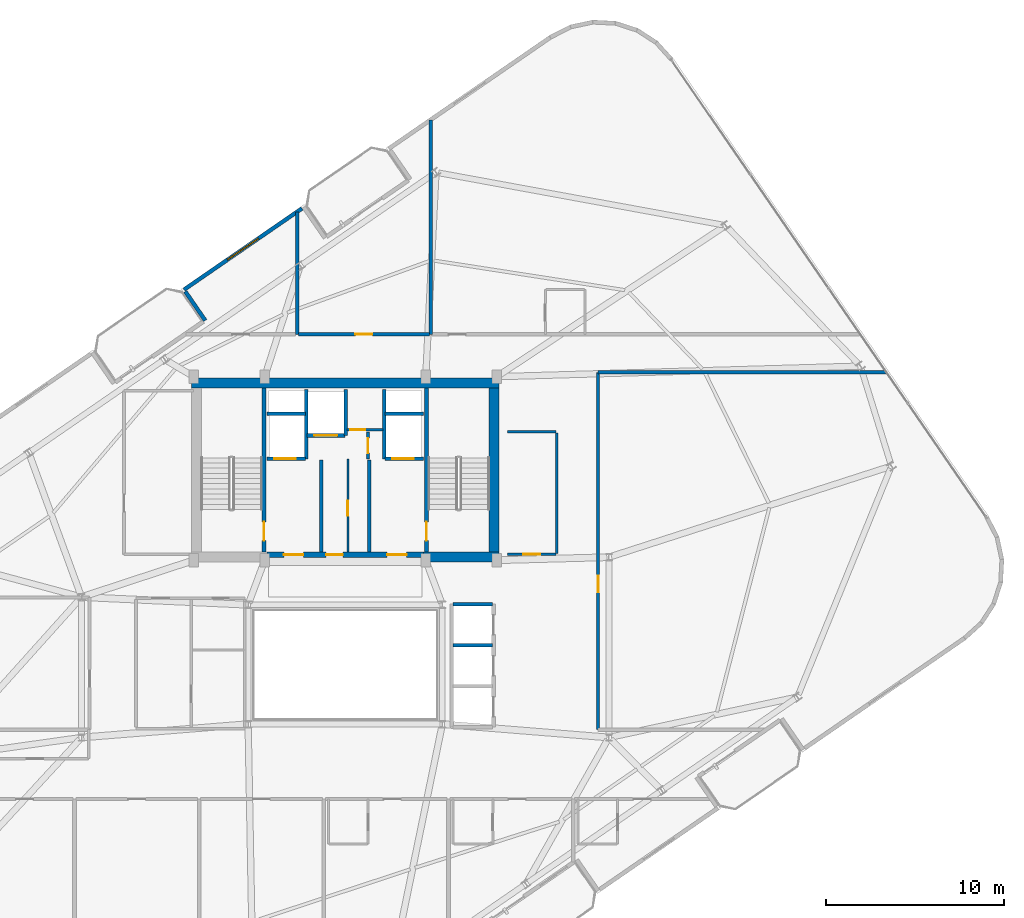
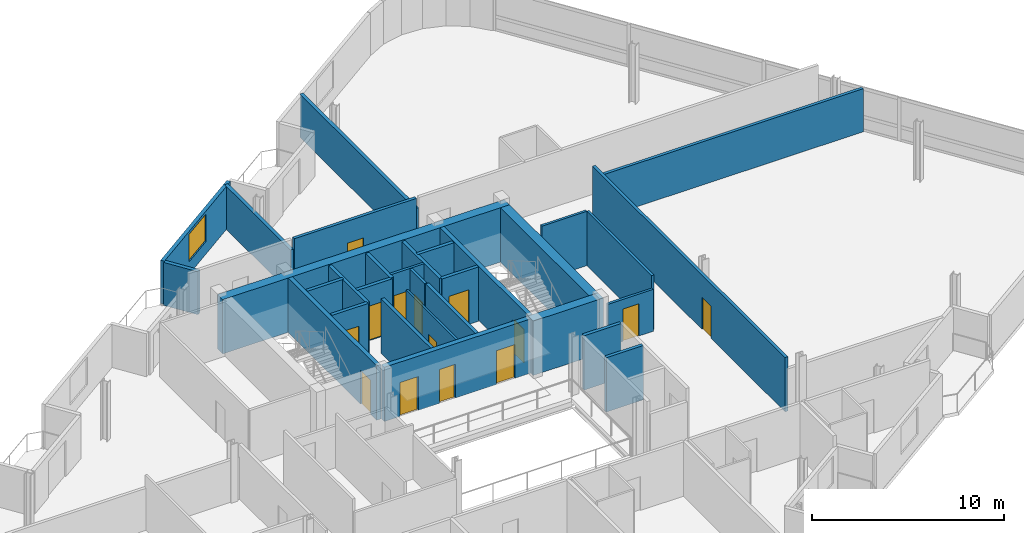
# One storey, part 16 of 21: 31 walls, 14 doors, 1 window, 15 openings.
"""IFC4 building model written with IfcOpenShell, lengths in metres."""

import ifcopenshell
import ifcopenshell.guid

model = None  # the IFC model being written
_history = None  # IfcOwnerHistory: only IFC2X3 demands one
_inside = {}  # id of a spatial element -> (the spatial element, [elements in it])
_under = {}  # id of a project, library or spatial element -> (it, [spatial elements below it])
_declared = {}  # id of a project -> (the project, [libraries it declares])
_typed = {}  # id of a type object -> (the type object, [elements of that type])
_made_of = {}  # id of a material, layer set ... -> (it, [elements and type objects made of it])


def new_model(schema):
    """Start an empty IFC model of exactly this schema.

    Asked for "IFC4X3", IfcOpenShell would pick the latest addendum, in which some entities
    have other attributes; the version numbers below select the first issue.
    IFC2X3 requires an IfcOwnerHistory on every rooted entity: one is made here for all.
    """
    global model, _history
    if schema == "IFC4X3":
        model = ifcopenshell.file(schema_version=(4, 3, 0, 0))
    else:
        model = ifcopenshell.file(schema=schema)
    _inside.clear()
    _under.clear()
    _declared.clear()
    _typed.clear()
    _made_of.clear()
    _history = None
    if model.schema == "IFC2X3":
        org = make("IfcOrganization", Name="unknown")
        user = make(
            "IfcPersonAndOrganization",
            ThePerson=make("IfcPerson", FamilyName="unknown"),
            TheOrganization=org,
        )
        app = make(
            "IfcApplication",
            ApplicationDeveloper=org,
            Version="unknown",
            ApplicationFullName="unknown",
            ApplicationIdentifier="unknown",
        )
        _history = make(
            "IfcOwnerHistory",
            OwningUser=user,
            OwningApplication=app,
            ChangeAction="ADDED",
            CreationDate=0,
        )
    return model


def make(cls, **values):
    """One entity of the class cls with the attributes given. An attribute that is None is left unset."""
    return model.create_entity(
        cls, **{name: value for name, value in values.items() if value is not None}
    )


def rooted(cls, **values):
    """An entity with a GlobalId (a new one), such as an element, a storey or a relation."""
    return make(cls, GlobalId=ifcopenshell.guid.new(), OwnerHistory=_history, **values)


def si_unit(unit_type, name, prefix=None):
    """IfcSIUnit, for example si_unit("LENGTHUNIT", "METRE", prefix="MILLI")."""
    return make("IfcSIUnit", UnitType=unit_type, Prefix=prefix, Name=name)


def assignment(units):
    """IfcUnitAssignment: the units of a project."""
    return None if units is None else make("IfcUnitAssignment", Units=units)


def point(xyz):
    """IfcCartesianPoint."""
    return None if xyz is None else make("IfcCartesianPoint", Coordinates=xyz)


def direction(xyz):
    """IfcDirection."""
    return None if xyz is None else make("IfcDirection", DirectionRatios=xyz)


def frame(location, z_axis=None, x_axis=None):
    """IfcAxis2Placement3D, a coordinate frame: its origin and axes. An axis left out is left unset."""
    return make(
        "IfcAxis2Placement3D",
        Location=point(location),
        Axis=direction(z_axis),
        RefDirection=direction(x_axis),
    )


def frame_2d(location, x_axis=None):
    """IfcAxis2Placement2D, a coordinate frame in the plane: its origin and x axis."""
    return make(
        "IfcAxis2Placement2D", Location=point(location), RefDirection=direction(x_axis)
    )


def origin():
    """The frame at (0, 0, 0) with its axes left unset."""
    return frame((0.0, 0.0, 0.0))


def place(relative_to, where):
    """IfcLocalPlacement: puts the frame where relative to a parent placement (None: the world)."""
    return make(
        "IfcLocalPlacement", PlacementRelTo=relative_to, RelativePlacement=where
    )


def context(
    kind, dimensions, precision=None, world=None, true_north=None, identifier=None
):
    """IfcGeometricRepresentationContext, for example the 3D "Model" context."""
    return make(
        "IfcGeometricRepresentationContext",
        ContextIdentifier=identifier,
        ContextType=kind,
        CoordinateSpaceDimension=dimensions,
        Precision=precision,
        WorldCoordinateSystem=world,
        TrueNorth=true_north,
    )


def subcontext(parent, identifier, kind, view, scale=None):
    """IfcGeometricRepresentationSubContext, for example "Body" below "Model"."""
    return make(
        "IfcGeometricRepresentationSubContext",
        ContextIdentifier=identifier,
        ContextType=kind,
        ParentContext=parent,
        TargetScale=scale,
        TargetView=view,
    )


def project(units=None, contexts=None):
    """IfcProject with its units and contexts."""
    return rooted(
        "IfcProject",
        Name="project",
        RepresentationContexts=contexts,
        UnitsInContext=assignment(units),
    )


def spatial(cls, under=None, at=None, **own):
    """A site, building, storey or space (cls), placed at a placement, below another one or the project."""
    s = rooted(cls, ObjectPlacement=at, **own)
    if under is not None:
        _under.setdefault(under.id(), (under, []))[1].append(s)
    return s


def profile(cls, at=None, kind="AREA", **sizes):
    """A parametric profile (cls). Its sizes go by their IFC names, for example OverallWidth=200.0."""
    return make(cls, ProfileType=kind, Position=at, **sizes)


def rectangle(**sizes):
    """IfcRectangleProfileDef."""
    return profile("IfcRectangleProfileDef", **sizes)


def extrude(swept, where, along, depth):
    """IfcExtrudedAreaSolid: the profile swept, set in the frame where, extruded along a direction by depth."""
    return make(
        "IfcExtrudedAreaSolid",
        SweptArea=swept,
        Position=where,
        ExtrudedDirection=direction(along),
        Depth=depth,
    )


def shape(context_of_items, identifier, shape_type, items):
    """IfcShapeRepresentation: the items that make up one representation, for example the "Body"."""
    return make(
        "IfcShapeRepresentation",
        ContextOfItems=context_of_items,
        RepresentationIdentifier=identifier,
        RepresentationType=shape_type,
        Items=items,
    )


def material(Name=None, Category=None):
    """IfcMaterial."""
    return make("IfcMaterial", Name=Name, Category=Category)


def layer(
    of_material, thickness, ventilated=None, Name=None, Category=None, Priority=None
):
    """IfcMaterialLayer: one layer of a wall or slab, of a material (None: an air gap)."""
    return make(
        "IfcMaterialLayer",
        Material=of_material,
        LayerThickness=thickness,
        IsVentilated=ventilated,
        Name=Name,
        Category=Category,
        Priority=Priority,
    )


def layer_set(layers, Name=None):
    """IfcMaterialLayerSet."""
    return make("IfcMaterialLayerSet", MaterialLayers=layers, LayerSetName=Name)


def made_of(thing, what):
    """Note that an element or type object is made of a material, layer set ...; save() writes the relation."""
    if what is not None:
        _made_of.setdefault(what.id(), (what, []))[1].append(thing)
    return thing


def type_object(cls, material=None, **own):
    """A type object (cls), such as IfcWallType, which elements share."""
    return made_of(rooted(cls, **own), material)


def element(
    cls,
    number,
    at=None,
    inside=None,
    cuts=None,
    type_object=None,
    material=None,
    context=None,
    identifier="Body",
    shape_type=None,
    held_by="IfcProductDefinitionShape",
    body=None,
    shapes=None,
    **own,
):
    """One element of the class cls, such as IfcWall. Its Tag is "e" and its number.

    at: its placement. inside: the storey or other place that contains it. cuts: it is an
    opening in that element (IfcRelVoidsElement). A single representation is given by context,
    identifier, shape_type and body (its items); several are given by shapes. held_by: the class
    of the entity that holds the representations. save() writes the other relations.
    """
    e = rooted(cls, Tag="e%d" % number, ObjectPlacement=at, **own)
    if body is not None:
        shapes = [shape(context, identifier, shape_type, body)]
    if shapes is not None:
        e.Representation = make(held_by, Representations=shapes)
    if inside is not None:
        _inside.setdefault(inside.id(), (inside, []))[1].append(e)
    if cuts is not None:
        rooted(
            "IfcRelVoidsElement", RelatingBuildingElement=cuts, RelatedOpeningElement=e
        )
    if type_object is not None:
        _typed.setdefault(type_object.id(), (type_object, []))[1].append(e)
    return made_of(e, material)


def fill(opening, filler):
    """IfcRelFillsElement: the door or window that sits in an opening."""
    return rooted(
        "IfcRelFillsElement",
        RelatingOpeningElement=opening,
        RelatedBuildingElement=filler,
    )


def aggregate(whole, parts):
    """IfcRelAggregates: a whole, such as a stair, and the parts it consists of."""
    return rooted("IfcRelAggregates", RelatingObject=whole, RelatedObjects=parts)


def save(model, path):
    """Write the relations noted so far, then the file.

    IfcRelAggregates (storeys below a building ...), IfcRelContainedInSpatialStructure (elements
    in a storey), IfcRelDefinesByType, IfcRelAssociatesMaterial and IfcRelDeclares: one each for
    every whole, place, type object, material and project.
    """
    for whole, parts in _under.values():
        aggregate(whole, parts)
    for where, things in _inside.values():
        rooted(
            "IfcRelContainedInSpatialStructure",
            RelatedElements=things,
            RelatingStructure=where,
        )
    for kind, things in _typed.values():
        rooted("IfcRelDefinesByType", RelatedObjects=things, RelatingType=kind)
    for what, things in _made_of.values():
        rooted("IfcRelAssociatesMaterial", RelatedObjects=things, RelatingMaterial=what)
    for by, libraries in _declared.values():
        rooted("IfcRelDeclares", RelatingContext=by, RelatedDefinitions=libraries)
    model.write(path)


model = new_model("IFC4")

# Units and contexts
model_context = context("Model", 3, precision=1e-05, world=origin(), true_north=direction((0.0, 1.0)))
body_context = subcontext(model_context, "Body", "Model", "MODEL_VIEW")
ifc_project = project(units=[si_unit("LENGTHUNIT", "METRE"), si_unit("AREAUNIT", "SQUARE_METRE"), si_unit("VOLUMEUNIT", "CUBIC_METRE"), si_unit("PLANEANGLEUNIT", "RADIAN"), si_unit("MASSUNIT", "GRAM", prefix="KILO")], contexts=[model_context])

# Site, building, storey
site_placement = place(None, origin())
site = spatial("IfcSite", under=ifc_project, at=site_placement, CompositionType="ELEMENT")
building_placement = place(site_placement, origin())
building = spatial("IfcBuilding", under=site, at=building_placement, Name="Varnelok Gate Tower", CompositionType="ELEMENT")
storey_placement = place(building_placement, frame((0.0, 0.0, 261.89990234375)))
storey = spatial("IfcBuildingStorey", under=building, at=storey_placement, Name="L67", CompositionType="ELEMENT", Elevation=261.89990234375)

# Wall, opening, window
ifc_material_1 = material(Name="Concrete C45/55", Category="concrete")
ifc_layer_1 = layer(ifc_material_1, 0.219970703125)
ifc_layer_set_1 = layer_set([ifc_layer_1], Name="Concrete C45/55")
wall_type_1 = type_object("IfcWallType", Name="EW-BALC-220", PredefinedType="SOLIDWALL", material=ifc_layer_set_1)
wall_1_placement = place(storey_placement, frame((36.768798828125, 48.493896484375, 0.0), z_axis=(0.0, 0.0, 1.0), x_axis=(-0.823521165086, -0.56728554596, 0.0)))
wall_1 = element("IfcWall", 1, at=wall_1_placement, inside=storey, type_object=wall_type_1, Name="L67 Perimeter Facade Closure Wall 32", PredefinedType="SOLIDWALL", context=body_context, shape_type="SweptSolid", body=[
    extrude(rectangle(XDim=8.034912109375, YDim=0.219970703125, at=frame_2d((4.017578125, 0.0))), origin(), (0.0, 0.0, 1.0), 2.72998046875),
])
opening_1_placement = place(wall_1_placement, frame((2.967529296875, 0.0, 0.800048828125)))
opening_1 = element("IfcOpeningElement", 2, at=opening_1_placement, cuts=wall_1, Name="Opening WN4", PredefinedType="OPENING", context=body_context, shape_type="SweptSolid", body=[
    extrude(rectangle(XDim=2.10009765625, YDim=1.75, at=frame_2d((1.050048828125, 0.875))), frame((0.0, 0.119873046875, 0.0), z_axis=(0.0, -1.0, 0.0), x_axis=(1.0, 0.0, 0.0)), (0.0, 0.0, 1.0), 0.239990234375),
])
ifc_material_2 = material(Name="Low-E Laminated Double Glazing IGU", Category="glass")
window_type = type_object("IfcWindowType", Name="WN-SUI-2100", PartitioningType="SINGLE_PANEL", PredefinedType="WINDOW", material=ifc_material_2)
window_placement = place(opening_1_placement, origin())
window = element("IfcWindow", 3, at=window_placement, inside=storey, type_object=window_type, Name="L67 Perimeter Vision Window 32", OverallHeight=1.75, OverallWidth=2.10009765625, PartitioningType="SINGLE_PANEL", PredefinedType="WINDOW", context=body_context, shape_type="SweptSolid", body=[
    extrude(rectangle(XDim=2.10009765625, YDim=1.75, at=frame_2d((1.050048828125, 0.875))), frame((0.0, 0.030029296875, 0.0), z_axis=(0.0, -1.0, 0.0), x_axis=(1.0, 0.0, 0.0)), (0.0, 0.0, 1.0), 0.06005859375),
])
fill(opening_1, window)

# Wall
wall_2_placement = place(storey_placement, frame((30.22265625, 43.8330078125, 0.0), z_axis=(0.0, 0.0, 1.0), x_axis=(0.567215821234, -0.823569190865, 0.0)))
element("IfcWall", 4, at=wall_2_placement, inside=storey, type_object=wall_type_1, Name="L67 Perimeter Facade Closure Wall 33", PredefinedType="SOLIDWALL", context=body_context, shape_type="SweptSolid", body=[
    extrude(rectangle(XDim=1.97509765625, YDim=0.219970703125, at=frame_2d((0.987548828125, 0.0))), origin(), (0.0, 0.0, 1.0), 2.72998046875),
])

# Wall, opening, door
ifc_material_3 = material(Name="Gypsum Plasterboard Acoustic Partition", Category="gypsum")
ifc_layer_2 = layer(ifc_material_3, 0.179931640625)
ifc_layer_set_2 = layer_set([ifc_layer_2], Name="Gypsum Plasterboard Acoustic Partition")
wall_type_2 = type_object("IfcWallType", Name="PW-CORR-180", PredefinedType="PARTITIONING", material=ifc_layer_set_2)
wall_3_placement = place(storey_placement, frame((36.580078125, 41.429931640625, 0.0), z_axis=(0.0, 0.0, 1.0), x_axis=(1.0, 0.0, 0.0)))
wall_3 = element("IfcWall", 5, at=wall_3_placement, inside=storey, type_object=wall_type_2, Name="Interior Partition", PredefinedType="PARTITIONING", context=body_context, shape_type="SweptSolid", body=[
    extrude(rectangle(XDim=7.33984375, YDim=0.179931640625, at=frame_2d((3.669921875, 0.0))), origin(), (0.0, 0.0, 1.0), 3.4501953125),
])
opening_2_placement = place(wall_3_placement, frame((3.195068359375, 0.0, 0.0)))
opening_2 = element("IfcOpeningElement", 6, at=opening_2_placement, cuts=wall_3, Name="Opening D-I2", PredefinedType="OPENING", context=body_context, shape_type="SweptSolid", body=[
    extrude(rectangle(XDim=0.949951171875, YDim=2.050048828125, at=frame_2d((0.47509765625, 1.02490234375))), frame((0.0, 0.099853515625, 0.0), z_axis=(0.0, -1.0, 0.0), x_axis=(1.0, 0.0, 0.0)), (0.0, 0.0, 1.0), 0.199951171875),
])
ifc_material_4 = material(Name="Engineered Hardwood Timber", Category="wood")
door_type_1 = type_object("IfcDoorType", Name="DR-INT-950", OperationType="NOTDEFINED", PredefinedType="DOOR", material=ifc_material_4)
door_1_placement = place(opening_2_placement, origin())
door_1 = element("IfcDoor", 7, at=door_1_placement, inside=storey, type_object=door_type_1, Name="L67 Sky Library Door", OperationType="SINGLE_SWING_LEFT", OverallHeight=2.050048828125, OverallWidth=0.949951171875, PredefinedType="DOOR", context=body_context, shape_type="SweptSolid", body=[
    extrude(rectangle(XDim=0.949951171875, YDim=2.050048828125, at=frame_2d((0.47509765625, 1.02490234375))), frame((0.0, 0.02490234375, 0.0), z_axis=(0.0, -1.0, 0.0), x_axis=(1.0, 0.0, 0.0)), (0.0, 0.0, 1.0), 0.050048828125),
])
fill(opening_2, door_1)

wall_4_placement = place(storey_placement, frame((53.389892578125, 19.239990234375, 0.0), z_axis=(0.0, 0.0, 1.0), x_axis=(0.0, 1.0, 0.0)))
wall_4 = element("IfcWall", 8, at=wall_4_placement, inside=storey, type_object=wall_type_2, Name="Interior Partition", PredefinedType="PARTITIONING", context=body_context, shape_type="SweptSolid", body=[
    extrude(rectangle(XDim=20.06005859375, YDim=0.179931640625, at=frame_2d((10.030029296875, 0.0))), origin(), (0.0, 0.0, 1.0), 3.4501953125),
])
opening_3_placement = place(wall_4_placement, frame((7.699951171875, 0.0, 0.0)))
opening_3 = element("IfcOpeningElement", 9, at=opening_3_placement, cuts=wall_4, Name="Opening D-I2", PredefinedType="OPENING", context=body_context, shape_type="SweptSolid", body=[
    extrude(rectangle(XDim=0.949951171875, YDim=2.050048828125, at=frame_2d((0.47509765625, 1.02490234375))), frame((0.0, 0.099853515625, 0.0), z_axis=(0.0, -1.0, 0.0), x_axis=(1.0, 0.0, 0.0)), (0.0, 0.0, 1.0), 0.199951171875),
])
door_2_placement = place(opening_3_placement, origin())
door_2 = element("IfcDoor", 10, at=door_2_placement, inside=storey, type_object=door_type_1, Name="L67 East Club Door", OperationType="SINGLE_SWING_RIGHT", OverallHeight=2.050048828125, OverallWidth=0.949951171875, PredefinedType="DOOR", context=body_context, shape_type="SweptSolid", body=[
    extrude(rectangle(XDim=0.949951171875, YDim=2.050048828125, at=frame_2d((0.47509765625, 1.02490234375))), frame((0.0, 0.02490234375, 0.0), z_axis=(0.0, -1.0, 0.0), x_axis=(1.0, 0.0, 0.0)), (0.0, 0.0, 1.0), 0.050048828125),
])
fill(opening_3, door_2)

# Wall
wall_5_placement = place(storey_placement, frame((53.389892578125, 39.300048828125, 0.0), z_axis=(0.0, 0.0, 1.0), x_axis=(1.0, 0.0, 0.0)))
element("IfcWall", 11, at=wall_5_placement, inside=storey, type_object=wall_type_2, Name="Interior Partition", PredefinedType="PARTITIONING", context=body_context, shape_type="SweptSolid", body=[
    extrude(rectangle(XDim=16.149169921875, YDim=0.179931640625, at=frame_2d((8.07470703125, 0.0))), origin(), (0.0, 0.0, 1.0), 2.739013671875),
])

# Wall, opening, door
ifc_layer_3 = layer(ifc_material_3, 0.125)
ifc_layer_set_3 = layer_set([ifc_layer_3], Name="Gypsum Plasterboard Acoustic Partition")
wall_type_3 = type_object("IfcWallType", Name="PW-PART-125", PredefinedType="PARTITIONING", material=ifc_layer_set_3)
wall_6_placement = place(storey_placement, frame((39.35009765625, 29.199951171875, 0.0), z_axis=(0.0, 0.0, 1.0), x_axis=(0.0, 1.0, 0.0)))
wall_6 = element("IfcWall", 12, at=wall_6_placement, inside=storey, type_object=wall_type_3, Name="Interior Partition", PredefinedType="PARTITIONING", context=body_context, shape_type="SweptSolid", body=[
    extrude(rectangle(XDim=5.219970703125, YDim=0.125, at=frame_2d((2.60986328125, 0.0))), origin(), (0.0, 0.0, 1.0), 3.4501953125),
])
opening_4_placement = place(wall_6_placement, frame((2.050048828125, 0.0, 0.0)))
opening_4 = element("IfcOpeningElement", 13, at=opening_4_placement, cuts=wall_6, Name="Opening D-RS", PredefinedType="OPENING", context=body_context, shape_type="SweptSolid", body=[
    extrude(rectangle(XDim=0.85009765625, YDim=2.050048828125, at=frame_2d((0.425048828125, 1.02490234375))), frame((0.0, 0.072509765625, 0.0), z_axis=(0.0, -1.0, 0.0), x_axis=(1.0, 0.0, 0.0)), (0.0, 0.0, 1.0), 0.14501953125),
])
ifc_material_5 = material(Name="Galvanized Steel Grade S350GD", Category="steel")
door_type_2 = type_object("IfcDoorType", Name="DR-RISER-850", OperationType="NOTDEFINED", PredefinedType="DOOR", material=ifc_material_5)
door_3_placement = place(opening_4_placement, origin())
door_3 = element("IfcDoor", 14, at=door_3_placement, inside=storey, type_object=door_type_2, Name="L67 Housekeeping Linen Door", OperationType="SINGLE_SWING_RIGHT", OverallHeight=2.050048828125, OverallWidth=0.85009765625, PredefinedType="DOOR", context=body_context, shape_type="SweptSolid", body=[
    extrude(rectangle(XDim=0.85009765625, YDim=2.050048828125, at=frame_2d((0.425048828125, 1.02490234375))), frame((0.0, 0.02490234375, 0.0), z_axis=(0.0, -1.0, 0.0), x_axis=(1.0, 0.0, 0.0)), (0.0, 0.0, 1.0), 0.050048828125),
])
fill(opening_4, door_3)

ifc_layer_4 = layer(ifc_material_3, 0.14990234375)
ifc_layer_set_4 = layer_set([ifc_layer_4], Name="Gypsum Plasterboard Acoustic Partition")
wall_type_4 = type_object("IfcWallType", Name="PW-PART-150", PredefinedType="PARTITIONING", material=ifc_layer_set_4)
wall_7_placement = place(storey_placement, frame((39.300048828125, 36.080078125, 0.0), z_axis=(0.0, 0.0, 1.0), x_axis=(1.0, 0.0, 0.0)))
wall_7 = element("IfcWall", 15, at=wall_7_placement, inside=storey, type_object=wall_type_4, Name="L67 Electrical Closet South Wall", PredefinedType="PARTITIONING", context=body_context, shape_type="SweptSolid", body=[
    extrude(rectangle(XDim=2.02001953125, YDim=0.14990234375, at=frame_2d((1.010009765625, 0.0))), origin(), (0.0, 0.0, 1.0), 3.4501953125),
])
opening_5_placement = place(wall_7_placement, frame((0.179931640625, 0.0, 0.0)))
opening_5 = element("IfcOpeningElement", 16, at=opening_5_placement, cuts=wall_7, Name="Opening D-RS", PredefinedType="OPENING", context=body_context, shape_type="SweptSolid", body=[
    extrude(rectangle(XDim=0.85009765625, YDim=2.050048828125, at=frame_2d((0.425048828125, 1.02490234375))), frame((0.0, 0.0849609375, 0.0), z_axis=(0.0, -1.0, 0.0), x_axis=(1.0, 0.0, 0.0)), (0.0, 0.0, 1.0), 0.169921875),
])
door_4_placement = place(opening_5_placement, origin())
door_4 = element("IfcDoor", 17, at=door_4_placement, inside=storey, type_object=door_type_2, Name="L67 Electrical Closet Door", OperationType="SINGLE_SWING_RIGHT", OverallHeight=2.050048828125, OverallWidth=0.85009765625, PredefinedType="DOOR", context=body_context, shape_type="SweptSolid", body=[
    extrude(rectangle(XDim=0.85009765625, YDim=2.050048828125, at=frame_2d((0.425048828125, 1.02490234375))), frame((0.0, 0.02490234375, 0.0), z_axis=(0.0, -1.0, 0.0), x_axis=(1.0, 0.0, 0.0)), (0.0, 0.0, 1.0), 0.050048828125),
])
fill(opening_5, door_4)

wall_8_placement = place(storey_placement, frame((40.47998046875, 34.43994140625, 0.0), z_axis=(0.0, 0.0, 1.0), x_axis=(0.0, 1.0, 0.0)))
wall_8 = element("IfcWall", 18, at=wall_8_placement, inside=storey, type_object=wall_type_4, Name="L67 Telecoms Closet West Wall", PredefinedType="PARTITIONING", context=body_context, shape_type="SweptSolid", body=[
    extrude(rectangle(XDim=1.52001953125, YDim=0.14990234375, at=frame_2d((0.760009765625, 0.0))), origin(), (0.0, 0.0, 1.0), 3.4501953125),
])
opening_6_placement = place(wall_8_placement, frame((0.320068359375, 0.0, 0.0)))
opening_6 = element("IfcOpeningElement", 19, at=opening_6_placement, cuts=wall_8, Name="Opening D-RS", PredefinedType="OPENING", context=body_context, shape_type="SweptSolid", body=[
    extrude(rectangle(XDim=0.85009765625, YDim=2.050048828125, at=frame_2d((0.425048828125, 1.02490234375))), frame((0.0, 0.0849609375, 0.0), z_axis=(0.0, -1.0, 0.0), x_axis=(1.0, 0.0, 0.0)), (0.0, 0.0, 1.0), 0.169921875),
])
door_5_placement = place(opening_6_placement, origin())
door_5 = element("IfcDoor", 20, at=door_5_placement, inside=storey, type_object=door_type_2, Name="L67 Telecoms Closet Door", OperationType="SINGLE_SWING_LEFT", OverallHeight=2.050048828125, OverallWidth=0.85009765625, PredefinedType="DOOR", context=body_context, shape_type="SweptSolid", body=[
    extrude(rectangle(XDim=0.85009765625, YDim=2.050048828125, at=frame_2d((0.425048828125, 1.02490234375))), frame((0.0, 0.02490234375, 0.0), z_axis=(0.0, -1.0, 0.0), x_axis=(1.0, 0.0, 0.0)), (0.0, 0.0, 1.0), 0.050048828125),
])
fill(opening_6, door_5)

wall_9_placement = place(storey_placement, frame((48.300048828125, 29.080078125, 0.0), z_axis=(0.0, 0.0, 1.0), x_axis=(1.0, 0.0, 0.0)))
wall_9 = element("IfcWall", 21, at=wall_9_placement, inside=storey, type_object=wall_type_4, Name="Interior Partition", PredefinedType="PARTITIONING", context=body_context, shape_type="SweptSolid", body=[
    extrude(rectangle(XDim=2.719970703125, YDim=0.14990234375, at=frame_2d((1.35986328125, 0.0))), origin(), (0.0, 0.0, 1.0), 2.662109375),
])
opening_7_placement = place(wall_9_placement, frame((0.89990234375, 0.0, 0.0)))
opening_7 = element("IfcOpeningElement", 22, at=opening_7_placement, cuts=wall_9, Name="Opening D-I2", PredefinedType="OPENING", context=body_context, shape_type="SweptSolid", body=[
    extrude(rectangle(XDim=0.949951171875, YDim=2.050048828125, at=frame_2d((0.47509765625, 1.02490234375))), frame((0.0, 0.0849609375, 0.0), z_axis=(0.0, -1.0, 0.0), x_axis=(1.0, 0.0, 0.0)), (0.0, 0.0, 1.0), 0.169921875),
])
door_6_placement = place(opening_7_placement, origin())
door_6 = element("IfcDoor", 23, at=door_6_placement, inside=storey, type_object=door_type_1, Name="L67 Reclaimed Trunk Store Door", OperationType="SINGLE_SWING_LEFT", OverallHeight=2.050048828125, OverallWidth=0.949951171875, PredefinedType="DOOR", context=body_context, shape_type="SweptSolid", body=[
    extrude(rectangle(XDim=0.949951171875, YDim=2.050048828125, at=frame_2d((0.47509765625, 1.02490234375))), frame((0.0, 0.02490234375, 0.0), z_axis=(0.0, -1.0, 0.0), x_axis=(1.0, 0.0, 0.0)), (0.0, 0.0, 1.0), 0.050048828125),
])
fill(opening_7, door_6)

# Walls
wall_10_placement = place(storey_placement, frame((48.300048828125, 35.9599609375, 0.0), z_axis=(0.0, 0.0, 1.0), x_axis=(1.0, 0.0, 0.0)))
element("IfcWall", 24, at=wall_10_placement, inside=storey, type_object=wall_type_4, Name="Interior Partition", PredefinedType="PARTITIONING", context=body_context, shape_type="SweptSolid", body=[
    extrude(rectangle(XDim=2.719970703125, YDim=0.14990234375, at=frame_2d((1.35986328125, 0.0))), origin(), (0.0, 0.0, 1.0), 3.4501953125),
])
wall_11_placement = place(storey_placement, frame((51.080078125, 29.139892578125, 0.0), z_axis=(0.0, 0.0, 1.0), x_axis=(0.0, 1.0, 0.0)))
element("IfcWall", 25, at=wall_11_placement, inside=storey, type_object=wall_type_4, Name="Interior Partition", PredefinedType="PARTITIONING", context=body_context, shape_type="SweptSolid", body=[
    extrude(rectangle(XDim=6.760009765625, YDim=0.14990234375, at=frame_2d((3.3798828125, 0.0))), origin(), (0.0, 0.0, 1.0), 3.4501953125),
])
ifc_layer_5 = layer(ifc_material_3, 0.205078125)
ifc_layer_set_5 = layer_set([ifc_layer_5], Name="Gypsum Plasterboard Acoustic Partition")
wall_type_5 = type_object("IfcWallType", Name="PW-PARTY-200", PredefinedType="PARTITIONING", material=ifc_layer_set_5)
wall_12_placement = place(storey_placement, frame((36.5, 41.429931640625, 0.0), z_axis=(0.0, 0.0, 1.0), x_axis=(0.0, 1.0, 0.0)))
element("IfcWall", 26, at=wall_12_placement, inside=storey, type_object=wall_type_5, Name="L67 North Party Wall 1", PredefinedType="PARTITIONING", context=body_context, shape_type="SweptSolid", body=[
    extrude(rectangle(XDim=6.854248046875, YDim=0.205078125, at=frame_2d((3.42724609375, 0.0))), origin(), (0.0, 0.0, 1.0), 2.739013671875),
])
wall_13_placement = place(storey_placement, frame((44.0, 41.429931640625, 0.0), z_axis=(0.0, 0.0, 1.0), x_axis=(0.0, 1.0, 0.0)))
element("IfcWall", 27, at=wall_13_placement, inside=storey, type_object=wall_type_5, Name="L67 North Party Wall 2", PredefinedType="PARTITIONING", context=body_context, shape_type="SweptSolid", body=[
    extrude(rectangle(XDim=12.0205078125, YDim=0.205078125, at=frame_2d((6.01025390625, 0.0))), origin(), (0.0, 0.0, 1.0), 2.739013671875),
])
ifc_material_6 = material(Name="Concrete C35/45", Category="concrete")
ifc_layer_6 = layer(ifc_material_6, 0.199951171875)
ifc_layer_set_6 = layer_set([ifc_layer_6], Name="Concrete C35/45")
wall_type_6 = type_object("IfcWallType", Name="PW-SHAFT-200", PredefinedType="PARTITIONING", material=ifc_layer_set_6)
for number, where, z_axis, x_axis, name in (
    (28, (37.860107421875, 29.199951171875, 0.0), (0.0, 0.0, 1.0), (0.0, 1.0, 0.0), "L67 West FF Lobby Rated Wall"),
    (29, (40.5400390625, 29.199951171875, 0.0), (0.0, 0.0, 1.0), (0.0, 1.0, 0.0), "L67 East FF Lobby Rated Wall"),
):
    element("IfcWall", number, at=place(storey_placement, frame(where, z_axis=z_axis, x_axis=x_axis)), inside=storey, type_object=wall_type_6, Name=name, PredefinedType="PARTITIONING", context=body_context, shape_type="SweptSolid", body=[
        extrude(rectangle(XDim=5.179931640625, YDim=0.199951171875, at=frame_2d((2.58984375, 0.0))), origin(), (0.0, 0.0, 1.0), 3.4501953125),
    ])

# Wall, opening, door
wall_14_placement = place(storey_placement, frame((34.800048828125, 34.43994140625, 0.0), z_axis=(0.0, 0.0, 1.0), x_axis=(1.0, 0.0, 0.0)))
wall_14 = element("IfcWall", 30, at=wall_14_placement, inside=storey, type_object=wall_type_6, Name="L67 FF1 Shaft Front Wall", PredefinedType="PARTITIONING", context=body_context, shape_type="SweptSolid", body=[
    extrude(rectangle(XDim=2.179931640625, YDim=0.199951171875, at=frame_2d((1.08984375, 0.0))), origin(), (0.0, 0.0, 1.0), 3.4501953125),
])
opening_8_placement = place(wall_14_placement, frame((0.419921875, 0.0, 0.0)))
opening_8 = element("IfcOpeningElement", 31, at=opening_8_placement, cuts=wall_14, Name="Opening LD-FF1", PredefinedType="OPENING", context=body_context, shape_type="SweptSolid", body=[
    extrude(rectangle(XDim=1.199951171875, YDim=2.199951171875, at=frame_2d((0.60009765625, 1.10009765625))), frame((0.0, 0.10986328125, 0.0), z_axis=(0.0, -1.0, 0.0), x_axis=(1.0, 0.0, 0.0)), (0.0, 0.0, 1.0), 0.219970703125),
])
door_type_3 = type_object("IfcDoorType", Name="DR-LIFT-FF1200", OperationType="SLIDING_TO_LEFT", PredefinedType="DOOR", material=ifc_material_5)
door_7_placement = place(opening_8_placement, origin())
door_7 = element("IfcDoor", 32, at=door_7_placement, inside=storey, type_object=door_type_3, Name="L67 Firefighting Lift Landing Door LD-FF1", OperationType="SLIDING_TO_LEFT", OverallHeight=2.199951171875, OverallWidth=1.199951171875, PredefinedType="DOOR", context=body_context, shape_type="SweptSolid", body=[
    extrude(rectangle(XDim=1.199951171875, YDim=2.199951171875, at=frame_2d((0.60009765625, 1.10009765625))), frame((0.0, 0.02490234375, 0.0), z_axis=(0.0, -1.0, 0.0), x_axis=(1.0, 0.0, 0.0)), (0.0, 0.0, 1.0), 0.050048828125),
])
fill(opening_8, door_7)

# Walls
wall_15_placement = place(storey_placement, frame((34.800048828125, 36.97998046875, 0.0), z_axis=(0.0, 0.0, 1.0), x_axis=(1.0, 0.0, 0.0)))
element("IfcWall", 33, at=wall_15_placement, inside=storey, type_object=wall_type_6, Name="L67 FF1 Shaft North Wall", PredefinedType="PARTITIONING", context=body_context, shape_type="SweptSolid", body=[
    extrude(rectangle(XDim=2.179931640625, YDim=0.199951171875, at=frame_2d((1.08984375, 0.0))), origin(), (0.0, 0.0, 1.0), 3.4501953125),
])
wall_16_placement = place(storey_placement, frame((37.0, 34.43994140625, 0.0), z_axis=(0.0, 0.0, 1.0), x_axis=(0.0, 1.0, 0.0)))
element("IfcWall", 34, at=wall_16_placement, inside=storey, type_object=wall_type_6, Name="L67 FF1 Shaft Side Wall", PredefinedType="PARTITIONING", context=body_context, shape_type="SweptSolid", body=[
    extrude(rectangle(XDim=3.900146484375, YDim=0.199951171875, at=frame_2d((1.9501953125, 0.0))), origin(), (0.0, 0.0, 1.0), 3.4501953125),
])

# Wall, opening, door
wall_17_placement = place(storey_placement, frame((41.419921875, 34.43994140625, 0.0), z_axis=(0.0, 0.0, 1.0), x_axis=(1.0, 0.0, 0.0)))
wall_17 = element("IfcWall", 35, at=wall_17_placement, inside=storey, type_object=wall_type_6, Name="L67 FF2 Shaft Front Wall", PredefinedType="PARTITIONING", context=body_context, shape_type="SweptSolid", body=[
    extrude(rectangle(XDim=2.18017578125, YDim=0.199951171875, at=frame_2d((1.090087890625, 0.0))), origin(), (0.0, 0.0, 1.0), 3.4501953125),
])
opening_9_placement = place(wall_17_placement, frame((0.419921875, 0.0, 0.0)))
opening_9 = element("IfcOpeningElement", 36, at=opening_9_placement, cuts=wall_17, Name="Opening LD-FF2", PredefinedType="OPENING", context=body_context, shape_type="SweptSolid", body=[
    extrude(rectangle(XDim=1.199951171875, YDim=2.199951171875, at=frame_2d((0.60009765625, 1.10009765625))), frame((0.0, 0.10986328125, 0.0), z_axis=(0.0, -1.0, 0.0), x_axis=(1.0, 0.0, 0.0)), (0.0, 0.0, 1.0), 0.219970703125),
])
door_8_placement = place(opening_9_placement, origin())
door_8 = element("IfcDoor", 37, at=door_8_placement, inside=storey, type_object=door_type_3, Name="L67 Firefighting Lift Landing Door LD-FF2", OperationType="SLIDING_TO_LEFT", OverallHeight=2.199951171875, OverallWidth=1.199951171875, PredefinedType="DOOR", context=body_context, shape_type="SweptSolid", body=[
    extrude(rectangle(XDim=1.199951171875, YDim=2.199951171875, at=frame_2d((0.60009765625, 1.10009765625))), frame((0.0, 0.02490234375, 0.0), z_axis=(0.0, -1.0, 0.0), x_axis=(1.0, 0.0, 0.0)), (0.0, 0.0, 1.0), 0.050048828125),
])
fill(opening_9, door_8)

# Walls
wall_18_placement = place(storey_placement, frame((41.419921875, 36.97998046875, 0.0), z_axis=(0.0, 0.0, 1.0), x_axis=(1.0, 0.0, 0.0)))
element("IfcWall", 38, at=wall_18_placement, inside=storey, type_object=wall_type_6, Name="L67 FF2 Shaft North Wall", PredefinedType="PARTITIONING", context=body_context, shape_type="SweptSolid", body=[
    extrude(rectangle(XDim=2.18017578125, YDim=0.199951171875, at=frame_2d((1.090087890625, 0.0))), origin(), (0.0, 0.0, 1.0), 3.4501953125),
])
wall_19_placement = place(storey_placement, frame((41.39990234375, 34.43994140625, 0.0), z_axis=(0.0, 0.0, 1.0), x_axis=(0.0, 1.0, 0.0)))
element("IfcWall", 39, at=wall_19_placement, inside=storey, type_object=wall_type_6, Name="L67 FF2 Shaft Side Wall", PredefinedType="PARTITIONING", context=body_context, shape_type="SweptSolid", body=[
    extrude(rectangle(XDim=3.900146484375, YDim=0.199951171875, at=frame_2d((1.9501953125, 0.0))), origin(), (0.0, 0.0, 1.0), 3.4501953125),
])

# Wall, opening, door
wall_20_placement = place(storey_placement, frame((37.06005859375, 35.75, 0.0), z_axis=(0.0, 0.0, 1.0), x_axis=(1.0, 0.0, 0.0)))
wall_20 = element("IfcWall", 40, at=wall_20_placement, inside=storey, type_object=wall_type_6, Name="L67 SV1 Shaft Front Wall", PredefinedType="PARTITIONING", context=body_context, shape_type="SweptSolid", body=[
    extrude(rectangle(XDim=2.119873046875, YDim=0.199951171875, at=frame_2d((1.06005859375, 0.0))), origin(), (0.0, 0.0, 1.0), 3.4501953125),
])
opening_10_placement = place(wall_20_placement, frame((0.39990234375, 0.0, 0.0)))
opening_10 = element("IfcOpeningElement", 41, at=opening_10_placement, cuts=wall_20, Name="Opening LD-SV1", PredefinedType="OPENING", context=body_context, shape_type="SweptSolid", body=[
    extrude(rectangle(XDim=1.300048828125, YDim=2.199951171875, at=frame_2d((0.64990234375, 1.10009765625))), frame((0.0, 0.10986328125, 0.0), z_axis=(0.0, -1.0, 0.0), x_axis=(1.0, 0.0, 0.0)), (0.0, 0.0, 1.0), 0.219970703125),
])
door_type_4 = type_object("IfcDoorType", Name="DR-LIFT-SV1300", OperationType="SLIDING_TO_LEFT", PredefinedType="DOOR", material=ifc_material_5)
door_9_placement = place(opening_10_placement, origin())
door_9 = element("IfcDoor", 42, at=door_9_placement, inside=storey, type_object=door_type_4, Name="L67 Service Lift Landing Door LD-SV1", OperationType="SLIDING_TO_LEFT", OverallHeight=2.199951171875, OverallWidth=1.300048828125, PredefinedType="DOOR", context=body_context, shape_type="SweptSolid", body=[
    extrude(rectangle(XDim=1.300048828125, YDim=2.199951171875, at=frame_2d((0.64990234375, 1.10009765625))), frame((0.0, 0.02490234375, 0.0), z_axis=(0.0, -1.0, 0.0), x_axis=(1.0, 0.0, 0.0)), (0.0, 0.0, 1.0), 0.050048828125),
])
fill(opening_10, door_9)

# Walls
wall_21_placement = place(storey_placement, frame((39.219970703125, 35.75, 0.0), z_axis=(0.0, 0.0, 1.0), x_axis=(0.0, 1.0, 0.0)))
element("IfcWall", 43, at=wall_21_placement, inside=storey, type_object=wall_type_6, Name="L67 SV1 Shaft East Wall", PredefinedType="PARTITIONING", context=body_context, shape_type="SweptSolid", body=[
    extrude(rectangle(XDim=2.590087890625, YDim=0.199951171875, at=frame_2d((1.294921875, 0.0))), origin(), (0.0, 0.0, 1.0), 3.4501953125),
])
for number, where, z_axis, x_axis, name in (
    (44, (45.239990234375, 23.97509765625, 0.0), (0.0, 0.0, 1.0), (1.0, 0.0, 0.0), "L67 PH2 Divider"),
    (45, (45.239990234375, 26.280029296875, 0.0), (0.0, 0.0, 1.0), (1.0, 0.0, 0.0), "L67 PH Bank North Wall"),
):
    element("IfcWall", number, at=place(storey_placement, frame(where, z_axis=z_axis, x_axis=x_axis)), inside=storey, type_object=wall_type_6, Name=name, PredefinedType="PARTITIONING", context=body_context, shape_type="SweptSolid", body=[
        extrude(rectangle(XDim=2.219970703125, YDim=0.199951171875, at=frame_2d((1.10986328125, 0.0))), origin(), (0.0, 0.0, 1.0), 3.4501953125),
    ])
ifc_material_7 = material(Name="Concrete C60/75", Category="concrete")
ifc_layer_7 = layer(ifc_material_7, 0.550048828125)
ifc_layer_set_7 = layer_set([ifc_layer_7], Name="Concrete C60/75")
wall_type_7 = type_object("IfcWallType", Name="SW-CORE-550", PredefinedType="SHEAR", material=ifc_layer_set_7)
wall_22_placement = place(storey_placement, frame((30.580078125, 38.695068359375, 0.0), z_axis=(0.0, 0.0, 1.0), x_axis=(1.0, 0.0, 0.0)))
element("IfcWall", 46, at=wall_22_placement, inside=storey, type_object=wall_type_7, Name="L67 Rear Core North Shear Wall", PredefinedType="SHEAR", context=body_context, shape_type="SweptSolid", body=[
    extrude(rectangle(XDim=17.239990234375, YDim=0.550048828125, at=frame_2d((8.6201171875, 0.0))), origin(), (0.0, 0.0, 1.0), 3.4501953125),
])
wall_23_placement = place(storey_placement, frame((47.544921875, 29.199951171875, 0.0), z_axis=(0.0, 0.0, 1.0), x_axis=(0.0, 1.0, 0.0)))
element("IfcWall", 47, at=wall_23_placement, inside=storey, type_object=wall_type_7, Name="L67 Rear Core East Shear Wall", PredefinedType="SHEAR", context=body_context, shape_type="SweptSolid", body=[
    extrude(rectangle(XDim=9.219970703125, YDim=0.550048828125, at=frame_2d((4.60986328125, 0.0))), origin(), (0.0, 0.0, 1.0), 3.4501953125),
])
wall_24_placement = place(storey_placement, frame((43.60009765625, 28.925048828125, 0.0), z_axis=(0.0, 0.0, 1.0), x_axis=(1.0, 0.0, 0.0)))
element("IfcWall", 48, at=wall_24_placement, inside=storey, type_object=wall_type_7, Name="L67 Rear Core South-East Shear Wall", PredefinedType="SHEAR", context=body_context, shape_type="SweptSolid", body=[
    extrude(rectangle(XDim=4.219970703125, YDim=0.550048828125, at=frame_2d((2.10986328125, 0.0))), origin(), (0.0, 0.0, 1.0), 3.4501953125),
])

# Wall, opening, door
ifc_layer_8 = layer(ifc_material_7, 0.25)
ifc_layer_set_8 = layer_set([ifc_layer_8], Name="Concrete C60/75")
wall_type_8 = type_object("IfcWallType", Name="SW-SHAFT-250", PredefinedType="SHEAR", material=ifc_layer_set_8)
wall_25_placement = place(storey_placement, frame((34.639892578125, 29.199951171875, 0.0), z_axis=(0.0, 0.0, 1.0), x_axis=(0.0, 1.0, 0.0)))
wall_25 = element("IfcWall", 49, at=wall_25_placement, inside=storey, type_object=wall_type_8, Name="L67 Stair ST-1 East Shear Wall", PredefinedType="SHEAR", context=body_context, shape_type="SweptSolid", body=[
    extrude(rectangle(XDim=9.219970703125, YDim=0.25, at=frame_2d((4.60986328125, 0.0))), origin(), (0.0, 0.0, 1.0), 3.4501953125),
])
opening_11_placement = place(wall_25_placement, frame((0.64990234375, 0.0, 0.0)))
opening_11 = element("IfcOpeningElement", 50, at=opening_11_placement, cuts=wall_25, Name="Opening D-ST", PredefinedType="OPENING", context=body_context, shape_type="SweptSolid", body=[
    extrude(rectangle(XDim=1.050048828125, YDim=2.14990234375, at=frame_2d((0.52490234375, 1.074951171875))), frame((0.0, 0.135009765625, 0.0), z_axis=(0.0, -1.0, 0.0), x_axis=(1.0, 0.0, 0.0)), (0.0, 0.0, 1.0), 0.27001953125),
])
door_type_5 = type_object("IfcDoorType", Name="DR-STAIR-1050", OperationType="NOTDEFINED", PredefinedType="DOOR", material=ifc_material_5)
door_10_placement = place(opening_11_placement, origin())
door_10 = element("IfcDoor", 51, at=door_10_placement, inside=storey, type_object=door_type_5, Name="L67 Exit Stair ST-1 Fire Door", OperationType="SINGLE_SWING_LEFT", OverallHeight=2.14990234375, OverallWidth=1.050048828125, PredefinedType="DOOR", context=body_context, shape_type="SweptSolid", body=[
    extrude(rectangle(XDim=1.050048828125, YDim=2.14990234375, at=frame_2d((0.52490234375, 1.074951171875))), frame((0.0, 0.02490234375, 0.0), z_axis=(0.0, -1.0, 0.0), x_axis=(1.0, 0.0, 0.0)), (0.0, 0.0, 1.0), 0.050048828125),
])
fill(opening_11, door_10)

wall_26_placement = place(storey_placement, frame((43.760009765625, 29.199951171875, 0.0), z_axis=(0.0, 0.0, 1.0), x_axis=(0.0, 1.0, 0.0)))
wall_26 = element("IfcWall", 52, at=wall_26_placement, inside=storey, type_object=wall_type_8, Name="L67 Stair ST-2 West Shear Wall", PredefinedType="SHEAR", context=body_context, shape_type="SweptSolid", body=[
    extrude(rectangle(XDim=9.219970703125, YDim=0.25, at=frame_2d((4.60986328125, 0.0))), origin(), (0.0, 0.0, 1.0), 3.4501953125),
])
opening_12_placement = place(wall_26_placement, frame((0.64990234375, 0.0, 0.0)))
opening_12 = element("IfcOpeningElement", 53, at=opening_12_placement, cuts=wall_26, Name="Opening D-ST", PredefinedType="OPENING", context=body_context, shape_type="SweptSolid", body=[
    extrude(rectangle(XDim=1.050048828125, YDim=2.14990234375, at=frame_2d((0.52490234375, 1.074951171875))), frame((0.0, 0.135009765625, 0.0), z_axis=(0.0, -1.0, 0.0), x_axis=(1.0, 0.0, 0.0)), (0.0, 0.0, 1.0), 0.27001953125),
])
door_11_placement = place(opening_12_placement, origin())
door_11 = element("IfcDoor", 54, at=door_11_placement, inside=storey, type_object=door_type_5, Name="L67 Exit Stair ST-2 Fire Door", OperationType="SINGLE_SWING_RIGHT", OverallHeight=2.14990234375, OverallWidth=1.050048828125, PredefinedType="DOOR", context=body_context, shape_type="SweptSolid", body=[
    extrude(rectangle(XDim=1.050048828125, YDim=2.14990234375, at=frame_2d((0.52490234375, 1.074951171875))), frame((0.0, 0.02490234375, 0.0), z_axis=(0.0, -1.0, 0.0), x_axis=(1.0, 0.0, 0.0)), (0.0, 0.0, 1.0), 0.050048828125),
])
fill(opening_12, door_11)

# Wall, openings, doors
ifc_layer_9 = layer(ifc_material_7, 0.300048828125)
ifc_layer_set_9 = layer_set([ifc_layer_9], Name="Concrete C60/75")
wall_type_9 = type_object("IfcWallType", Name="SW-SHAFT-300", PredefinedType="SHEAR", material=ifc_layer_set_9)
wall_27_placement = place(storey_placement, frame((34.800048828125, 29.050048828125, 0.0), z_axis=(0.0, 0.0, 1.0), x_axis=(1.0, 0.0, 0.0)))
wall_27 = element("IfcWall", 55, at=wall_27_placement, inside=storey, type_object=wall_type_9, Name="L67 Rear Core Central Lobby Shear Wall", PredefinedType="SHEAR", context=body_context, shape_type="SweptSolid", body=[
    extrude(rectangle(XDim=8.800048828125, YDim=0.300048828125, at=frame_2d((4.39990234375, 0.0))), origin(), (0.0, 0.0, 1.0), 3.4501953125),
])
opening_13_placement = place(wall_27_placement, frame((0.949951171875, 0.0, 0.0)))
opening_13 = element("IfcOpeningElement", 56, at=opening_13_placement, cuts=wall_27, Name="Opening D-FF", PredefinedType="OPENING", context=body_context, shape_type="SweptSolid", body=[
    extrude(rectangle(XDim=1.10009765625, YDim=2.14990234375, at=frame_2d((0.550048828125, 1.074951171875))), frame((0.0, 0.159912109375, 0.0), z_axis=(0.0, -1.0, 0.0), x_axis=(1.0, 0.0, 0.0)), (0.0, 0.0, 1.0), 0.320068359375),
])
opening_14_placement = place(wall_27_placement, frame((6.75, 0.0, 0.0)))
opening_14 = element("IfcOpeningElement", 57, at=opening_14_placement, cuts=wall_27, Name="Opening D-FF", PredefinedType="OPENING", context=body_context, shape_type="SweptSolid", body=[
    extrude(rectangle(XDim=1.10009765625, YDim=2.14990234375, at=frame_2d((0.550048828125, 1.074951171875))), frame((0.0, 0.159912109375, 0.0), z_axis=(0.0, -1.0, 0.0), x_axis=(1.0, 0.0, 0.0)), (0.0, 0.0, 1.0), 0.320068359375),
])
opening_15_placement = place(wall_27_placement, frame((3.320068359375, 0.0, 0.0)))
opening_15 = element("IfcOpeningElement", 58, at=opening_15_placement, cuts=wall_27, Name="Opening D-CR", PredefinedType="OPENING", context=body_context, shape_type="SweptSolid", body=[
    extrude(rectangle(XDim=0.949951171875, YDim=2.14990234375, at=frame_2d((0.47509765625, 1.074951171875))), frame((0.0, 0.159912109375, 0.0), z_axis=(0.0, -1.0, 0.0), x_axis=(1.0, 0.0, 0.0)), (0.0, 0.0, 1.0), 0.320068359375),
])
door_type_6 = type_object("IfcDoorType", Name="DR-CORR-950", OperationType="NOTDEFINED", PredefinedType="DOOR", material=ifc_material_5)
door_12_placement = place(opening_15_placement, origin())
door_12 = element("IfcDoor", 59, at=door_12_placement, inside=storey, type_object=door_type_6, Name="L67 Core Service Passage Door", OperationType="SINGLE_SWING_LEFT", OverallHeight=2.14990234375, OverallWidth=0.949951171875, PredefinedType="DOOR", context=body_context, shape_type="SweptSolid", body=[
    extrude(rectangle(XDim=0.949951171875, YDim=2.14990234375, at=frame_2d((0.47509765625, 1.074951171875))), frame((0.0, 0.02490234375, 0.0), z_axis=(0.0, -1.0, 0.0), x_axis=(1.0, 0.0, 0.0)), (0.0, 0.0, 1.0), 0.050048828125),
])
fill(opening_15, door_12)
door_type_7 = type_object("IfcDoorType", Name="DR-FFLOB-1100", OperationType="NOTDEFINED", PredefinedType="DOOR", material=ifc_material_5)
door_13_placement = place(opening_13_placement, origin())
door_13 = element("IfcDoor", 60, at=door_13_placement, inside=storey, type_object=door_type_7, Name="L67 West Firefighting Lobby Fire Door", OperationType="SINGLE_SWING_RIGHT", OverallHeight=2.14990234375, OverallWidth=1.10009765625, PredefinedType="DOOR", context=body_context, shape_type="SweptSolid", body=[
    extrude(rectangle(XDim=1.10009765625, YDim=2.14990234375, at=frame_2d((0.550048828125, 1.074951171875))), frame((0.0, 0.02490234375, 0.0), z_axis=(0.0, -1.0, 0.0), x_axis=(1.0, 0.0, 0.0)), (0.0, 0.0, 1.0), 0.050048828125),
])
fill(opening_13, door_13)
door_14_placement = place(opening_14_placement, origin())
door_14 = element("IfcDoor", 61, at=door_14_placement, inside=storey, type_object=door_type_7, Name="L67 East Firefighting Lobby Fire Door", OperationType="SINGLE_SWING_LEFT", OverallHeight=2.14990234375, OverallWidth=1.10009765625, PredefinedType="DOOR", context=body_context, shape_type="SweptSolid", body=[
    extrude(rectangle(XDim=1.10009765625, YDim=2.14990234375, at=frame_2d((0.550048828125, 1.074951171875))), frame((0.0, 0.02490234375, 0.0), z_axis=(0.0, -1.0, 0.0), x_axis=(1.0, 0.0, 0.0)), (0.0, 0.0, 1.0), 0.050048828125),
])
fill(opening_14, door_14)

save(model, "model.ifc")
